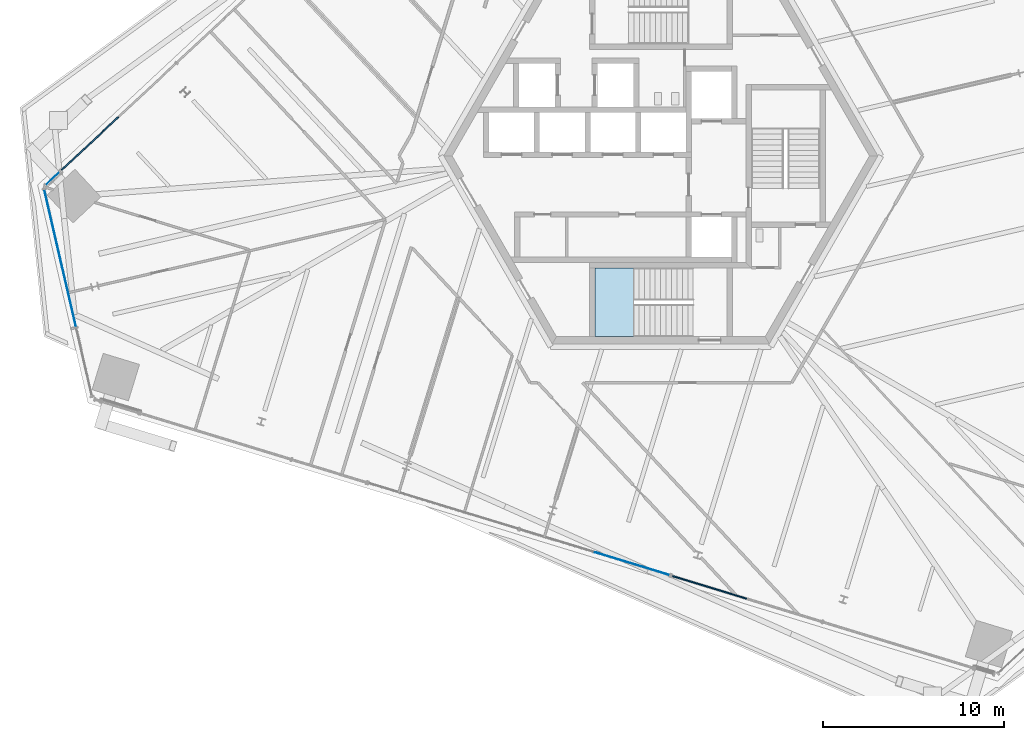
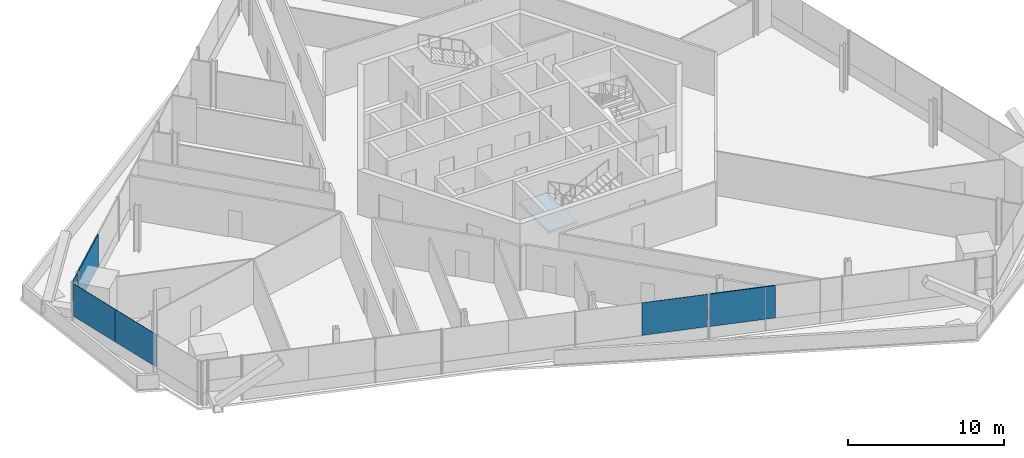
# One storey, part 14 of 25: 6 plates, 1 slab, 6 elements without a shape of their own.
"""IFC4 building model written with IfcOpenShell, lengths in metres."""

from ifc_helpers import new_model, si_unit, direction, frame, origin, origin_2d, place, context, subcontext, project, spatial, polyline, rectangle, outline, extrude, source, transform, mapped, material, layer, layer_set, type_object, element, aggregate, save


model = new_model("IFC4")

# Units and contexts
model_context = context("Model", 3, precision=1e-05, world=origin(), true_north=direction((0.0, 1.0)))
body_context = subcontext(model_context, "Body", "Model", "MODEL_VIEW")
ifc_project = project(units=[si_unit("LENGTHUNIT", "METRE"), si_unit("AREAUNIT", "SQUARE_METRE"), si_unit("VOLUMEUNIT", "CUBIC_METRE"), si_unit("PLANEANGLEUNIT", "RADIAN"), si_unit("MASSUNIT", "GRAM", prefix="KILO")], contexts=[model_context])

# Site, building, storey
site_placement = place(None, origin())
site = spatial("IfcSite", under=ifc_project, at=site_placement, CompositionType="ELEMENT")
building_placement = place(site_placement, origin())
building = spatial("IfcBuilding", under=site, at=building_placement, Name="Triune Harvest Tower", CompositionType="ELEMENT")
storey_placement = place(building_placement, frame((0.0, 0.0, 98.300048828125)))
storey = spatial("IfcBuildingStorey", under=building, at=storey_placement, Name="L24", CompositionType="ELEMENT", Elevation=98.300048828125)

# Stair, slab
ifc_material_1 = material(Name="Concrete 40 MPa", Category="concrete")
stair_type = type_object("IfcStairType", Name="Exit stair 1800 half turn", PredefinedType="HALF_TURN_STAIR", material=ifc_material_1)
stair_placement = place(storey_placement, origin())
stair = element("IfcStair", 1, at=stair_placement, inside=storey, type_object=stair_type, Name="Exit stair south", PredefinedType="HALF_TURN_STAIR")
ifc_material_2 = material(Name="Concrete 40 MPa", Category="concrete")
ifc_layer_1 = layer(ifc_material_2, 0.199951171875)
ifc_layer_set_1 = layer_set([ifc_layer_1], Name="Concrete 40 MPa")
slab_type = type_object("IfcSlabType", Name="Stair landing 200", PredefinedType="LANDING", material=ifc_layer_set_1)
shared_shape_1 = source(origin(), body_context, "Body", "SweptSolid", [
    extrude(outline(polyline([(-1.510009765625, -6.18994140625), (-3.64990234375, -6.18994140625), (-3.64990234375, -9.989990234375), (-1.510009765625, -9.989990234375), (-1.510009765625, -6.18994140625)])), origin(), (0.0, 0.0, 1.0), 0.2001953125),
])
slab_placement = place(storey_placement, frame((0.0, 0.0, 1.599853515625)))
slab = element("IfcSlab", 2, at=slab_placement, type_object=slab_type, Name="ST-2 landing 2", PredefinedType="LANDING", context=body_context, shape_type="MappedRepresentation", body=[
    mapped(shared_shape_1, transform((0.0, 0.0, 0.0), scale=1.0)),
])
aggregate(stair, [slab])

# Curtain wall, plate
ifc_material_3 = material(Name="Aluminium bronze anodised", Category="aluminium")
curtain_wall_type_1 = type_object("IfcCurtainWallType", Name="CW-1 Tower stick curtain wall", PredefinedType="NOTDEFINED", material=ifc_material_3)
curtain_wall_1_placement = place(storey_placement, origin())
curtain_wall_1 = element("IfcCurtainWall", 3, at=curtain_wall_1_placement, inside=storey, type_object=curtain_wall_type_1, Name="CW-1 B3-F3 L24 run 301")
ifc_material_4 = material(Name="Glass", Category="glass")
ifc_layer_2 = layer(ifc_material_4, 0.031982421875)
ifc_layer_set_2 = layer_set([ifc_layer_2], Name="Glass")
plate_type_1 = type_object("IfcPlateType", Name="GL-1 panel 32", PredefinedType="CURTAIN_PANEL", material=ifc_layer_set_2)
shared_shape_2 = source(origin(), body_context, "Body", "SweptSolid", [
    extrude(rectangle(XDim=1.021728515625, YDim=0.031982421875, at=origin_2d()), origin(), (0.0, 0.0, 1.0), 1.554931640625),
])
plate_1_placement = place(storey_placement, frame((-33.629150390625, -1.245361328125, 1.884765625), z_axis=(0.0, 0.0, 1.0), x_axis=(-0.73138155216, -0.681968492791, 0.0)))
plate_1 = element("IfcPlate", 4, at=plate_1_placement, type_object=plate_type_1, Name="CW-1 panel B3-F3 301.1", PredefinedType="CURTAIN_PANEL", context=body_context, shape_type="MappedRepresentation", body=[
    mapped(shared_shape_2, transform((0.0, 0.0, 0.0), scale=1.0)),
])
aggregate(curtain_wall_1, [plate_1])

ifc_material_5 = material(Name="Aluminium bronze anodised", Category="aluminium")
curtain_wall_type_2 = type_object("IfcCurtainWallType", Name="CW-7 Tower stick curtain wall with insulated spandrel infill", PredefinedType="NOTDEFINED", material=ifc_material_5)
curtain_wall_2_placement = place(storey_placement, origin())
curtain_wall_2 = element("IfcCurtainWall", 5, at=curtain_wall_2_placement, inside=storey, type_object=curtain_wall_type_2, Name="CW-7 B3-F3 L24 run 2201")
ifc_material_6 = material(Name="Insulated spandrel panel, bronze aluminium pan", Category="aluminium")
ifc_layer_3 = layer(ifc_material_6, 0.080078125)
ifc_layer_set_3 = layer_set([ifc_layer_3], Name="Insulated spandrel panel, bronze aluminium pan")
plate_type_2 = type_object("IfcPlateType", Name="SP-1 insulated spandrel panel 80", PredefinedType="CURTAIN_PANEL", material=ifc_layer_set_3)
shared_shape_3 = source(origin(), body_context, "Body", "SweptSolid", [
    extrude(rectangle(XDim=4.311767578125, YDim=0.080078125, at=origin_2d()), origin(), (0.0, 0.0, 1.0), 2.5400390625),
])
plate_2_placement = place(storey_placement, frame((-31.569091796875, 0.675537109375, 0.89990234375), z_axis=(0.0, 0.0, 1.0), x_axis=(-0.731352546183, -0.681999599114, 0.0)))
plate_2 = element("IfcPlate", 6, at=plate_2_placement, type_object=plate_type_2, Name="CW-7 panel B3-F3 2201.4", PredefinedType="CURTAIN_PANEL", context=body_context, shape_type="MappedRepresentation", body=[
    mapped(shared_shape_3, transform((0.0, 0.0, 0.0), scale=1.0)),
])
aggregate(curtain_wall_2, [plate_2])

curtain_wall_3_placement = place(storey_placement, origin())
curtain_wall_3 = element("IfcCurtainWall", 7, at=curtain_wall_3_placement, inside=storey, type_object=curtain_wall_type_2, Name="CW-7 B3-F5 L24 run 2201")
plate_3_placement = place(storey_placement, frame((2.685791015625, -23.851806640625, 0.89990234375), z_axis=(0.0, 0.0, 1.0), x_axis=(0.956304487109, -0.292372584104, 0.0)))
plate_3 = element("IfcPlate", 8, at=plate_3_placement, type_object=plate_type_2, Name="CW-7 panel B3-F5 2201.1", PredefinedType="CURTAIN_PANEL", context=body_context, shape_type="MappedRepresentation", body=[
    mapped(shared_shape_3, transform((0.0, 0.0, 0.0), scale=1.0)),
])
aggregate(curtain_wall_3, [plate_3])

curtain_wall_4_placement = place(storey_placement, origin())
curtain_wall_4 = element("IfcCurtainWall", 9, at=curtain_wall_4_placement, inside=storey, type_object=curtain_wall_type_1, Name="CW-1 B3-F5 L24 run 1201")
shared_shape_4 = source(origin(), body_context, "Body", "SweptSolid", [
    extrude(rectangle(XDim=4.311767578125, YDim=0.031982421875, at=origin_2d()), origin(), (0.0, 0.0, 1.0), 2.5400390625),
])
plate_4_placement = place(storey_placement, frame((-1.580810546875, -22.547119140625, 0.89990234375), z_axis=(0.0, 0.0, 1.0), x_axis=(0.956302406514, -0.292379389313, 0.0)))
plate_4 = element("IfcPlate", 10, at=plate_4_placement, type_object=plate_type_1, Name="CW-1 panel B3-F5 1201.4", PredefinedType="CURTAIN_PANEL", context=body_context, shape_type="MappedRepresentation", body=[
    mapped(shared_shape_4, transform((0.0, 0.0, 0.0), scale=1.0)),
])
aggregate(curtain_wall_4, [plate_4])

# Curtain wall, plates
curtain_wall_5_placement = place(storey_placement, origin())
curtain_wall_5 = element("IfcCurtainWall", 11, at=curtain_wall_5_placement, inside=storey, type_object=curtain_wall_type_1, Name="CW-1 B3-F4 L24 run 1")
shared_shape_5 = source(origin(), body_context, "Body", "SweptSolid", [
    extrude(rectangle(XDim=3.8740234375, YDim=0.031982421875, at=origin_2d()), origin(), (0.0, 0.0, 1.0), 2.5400390625),
])
plate_5_placement = place(storey_placement, frame((-33.650634765625, -3.75439453125, 0.89990234375), z_axis=(0.0, 0.0, 1.0), x_axis=(0.224946950683, -0.974371012181, 0.0)))
plate_5 = element("IfcPlate", 12, at=plate_5_placement, type_object=plate_type_1, Name="CW-1 panel B3-F4 1.1", PredefinedType="CURTAIN_PANEL", context=body_context, shape_type="MappedRepresentation", body=[
    mapped(shared_shape_5, transform((0.0, 0.0, 0.0), scale=1.0)),
])
shared_shape_6 = source(origin(), body_context, "Body", "SweptSolid", [
    extrude(rectangle(XDim=3.911376953125, YDim=0.031982421875, at=origin_2d()), origin(), (0.0, 0.0, 1.0), 2.5400390625),
])
plate_6_placement = place(storey_placement, frame((-32.77490234375, -7.54736328125, 0.89990234375), z_axis=(0.0, 0.0, 1.0), x_axis=(0.224946950683, -0.974371012181, 0.0)))
plate_6 = element("IfcPlate", 13, at=plate_6_placement, type_object=plate_type_1, Name="CW-1 panel B3-F4 1.2", PredefinedType="CURTAIN_PANEL", context=body_context, shape_type="MappedRepresentation", body=[
    mapped(shared_shape_6, transform((0.0, 0.0, 0.0), scale=1.0)),
])
aggregate(curtain_wall_5, [plate_5, plate_6])

save(model, "model.ifc")
